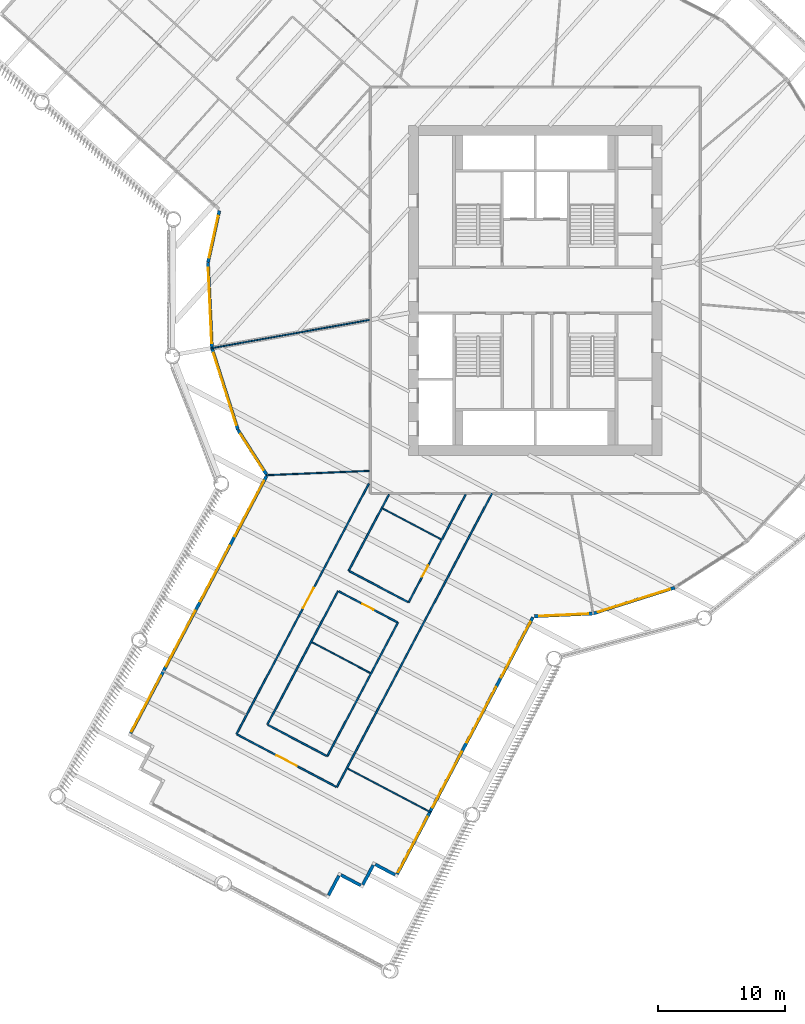
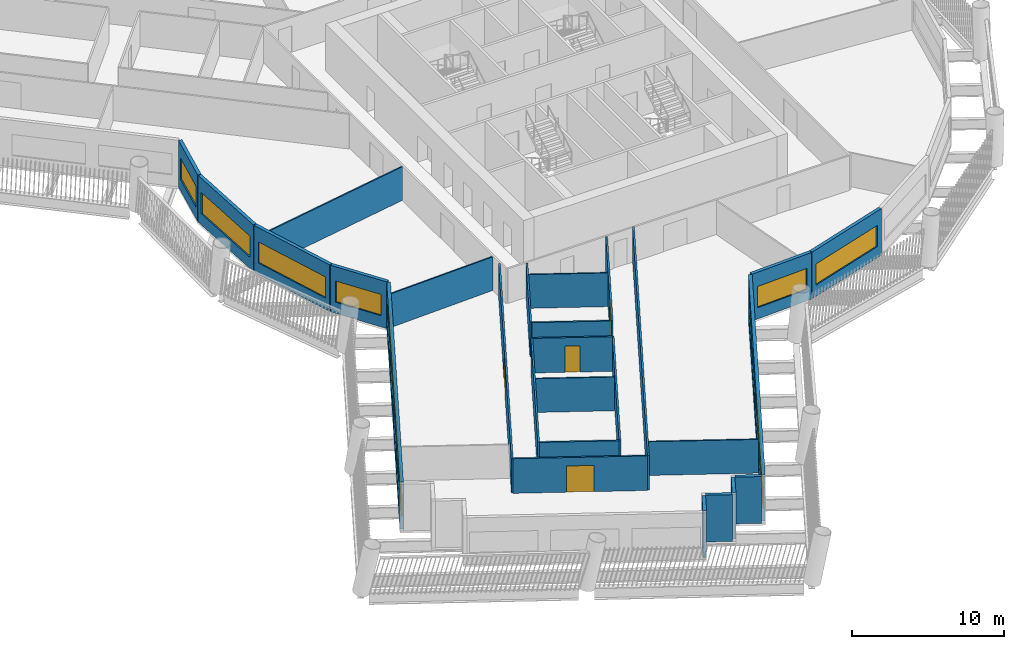
# One storey, part 3 of 16: 27 walls, 14 windows, 4 doors, 18 openings.
"""IFC4 building model written with IfcOpenShell, lengths in metres."""

from ifc_helpers import new_model, si_unit, direction, frame, frame_2d, origin, place, context, subcontext, project, spatial, rectangle, extrude, material, layer, layer_set, type_object, element, fill, save


model = new_model("IFC4")

# Units and contexts
model_context = context("Model", 3, precision=1e-05, world=origin(), true_north=direction((0.0, 1.0)))
body_context = subcontext(model_context, "Body", "Model", "MODEL_VIEW")
ifc_project = project(units=[si_unit("LENGTHUNIT", "METRE"), si_unit("AREAUNIT", "SQUARE_METRE"), si_unit("VOLUMEUNIT", "CUBIC_METRE"), si_unit("PLANEANGLEUNIT", "RADIAN"), si_unit("MASSUNIT", "GRAM", prefix="KILO")], contexts=[model_context])

# Site, building, storey
site_placement = place(None, origin())
site = spatial("IfcSite", under=ifc_project, at=site_placement, CompositionType="ELEMENT")
building_placement = place(site_placement, origin())
building = spatial("IfcBuilding", under=site, at=building_placement, Name="Tarsis Ring Headquarters", CompositionType="ELEMENT")
storey_placement = place(building_placement, frame((0.0, 0.0, 96.699951171875)))
storey = spatial("IfcBuildingStorey", under=building, at=storey_placement, Name="L21", CompositionType="ELEMENT", Elevation=96.699951171875)

# Walls
ifc_material_1 = material(Name="Gypsum board on steel studs", Category="steel")
ifc_layer_1 = layer(ifc_material_1, 0.10009765625)
ifc_layer_set_1 = layer_set([ifc_layer_1], Name="FL partition 100 unrated")
wall_type_1 = type_object("IfcWallType", Name="FL partition 100 unrated", PredefinedType="PARTITIONING", material=ifc_layer_set_1)
wall_1_placement = place(storey_placement, frame((-25.54248046875, -4.568115234375, 0.0), z_axis=(0.0, 0.0, 1.0), x_axis=(0.984382770142, 0.176041364025, 0.0)))
element("IfcWall", 1, at=wall_1_placement, inside=storey, type_object=wall_type_1, Name="Partition PW3", PredefinedType="PARTITIONING", context=body_context, shape_type="SweptSolid", body=[
    extrude(rectangle(XDim=12.671630859375, YDim=0.10009765625, at=frame_2d((6.3359375, 0.0))), origin(), (0.0, 0.0, 1.0), 2.699951171875),
])
wall_2_placement = place(storey_placement, frame((-21.187744140625, -14.566162109375, 0.0), z_axis=(0.0, 0.0, 1.0), x_axis=(0.99912984125, 0.041708036681, 0.0)))
element("IfcWall", 2, at=wall_2_placement, inside=storey, type_object=wall_type_1, Name="Partition PW3", PredefinedType="PARTITIONING", context=body_context, shape_type="SweptSolid", body=[
    extrude(rectangle(XDim=8.124755859375, YDim=0.10009765625, at=frame_2d((4.0625, 0.0))), origin(), (0.0, 0.0, 1.0), 2.699951171875),
])
wall_3_placement = place(storey_placement, frame((-14.77685546875, -37.6708984375, 0.0), z_axis=(0.0, 0.0, 1.0), x_axis=(0.88409066229, -0.467315419018, 0.0)))
element("IfcWall", 3, at=wall_3_placement, inside=storey, type_object=wall_type_1, Name="Partition PW3", PredefinedType="PARTITIONING", context=body_context, shape_type="SweptSolid", body=[
    extrude(rectangle(XDim=7.41015625, YDim=0.10009765625, at=frame_2d((3.705078125, 0.0))), origin(), (0.0, 0.0, 1.0), 2.699951171875),
])
wall_4_placement = place(storey_placement, frame((-17.59375, -27.72119140625, 0.0), z_axis=(0.0, 0.0, 1.0), x_axis=(0.884075542266, -0.467344022715, 0.0)))
element("IfcWall", 4, at=wall_4_placement, inside=storey, type_object=wall_type_1, Name="Partition PW3", PredefinedType="PARTITIONING", context=body_context, shape_type="SweptSolid", body=[
    extrude(rectangle(XDim=5.199951171875, YDim=0.10009765625, at=frame_2d((2.60009765625, 0.0))), origin(), (0.0, 0.0, 1.0), 2.699951171875),
])
wall_5_placement = place(storey_placement, frame((-12.0234375, -17.182861328125, 0.0), z_axis=(0.0, 0.0, 1.0), x_axis=(0.884085796079, -0.467324625042, 0.0)))
element("IfcWall", 5, at=wall_5_placement, inside=storey, type_object=wall_type_1, Name="Partition PW3", PredefinedType="PARTITIONING", context=body_context, shape_type="SweptSolid", body=[
    extrude(rectangle(XDim=5.2001953125, YDim=0.10009765625, at=frame_2d((2.60009765625, 0.0))), origin(), (0.0, 0.0, 1.0), 2.699951171875),
])
ifc_layer_2 = layer(ifc_material_1, 0.125)
ifc_layer_set_2 = layer_set([ifc_layer_2], Name="FL partition 125 EI 60 H2770")
wall_type_2 = type_object("IfcWallType", Name="FL partition 125 EI 60 H2770", PredefinedType="PARTITIONING", material=ifc_layer_set_2)
wall_6_placement = place(storey_placement, frame((-15.63330078125, -39.14111328125, 0.0), z_axis=(0.0, 0.0, 1.0), x_axis=(0.467320656478, 0.884087893837, 0.0)))
element("IfcWall", 6, at=wall_6_placement, inside=storey, type_object=wall_type_2, Name="Partition PW1", PredefinedType="PARTITIONING", context=body_context, shape_type="SweptSolid", body=[
    extrude(rectangle(XDim=26.175048828125, YDim=0.125, at=frame_2d((13.08740234375, 0.0))), origin(), (0.0, 0.0, 1.0), 2.77001953125),
])

# Wall, opening, door
wall_7_placement = place(storey_placement, frame((-23.537109375, -34.96337890625, 0.0), z_axis=(0.0, 0.0, 1.0), x_axis=(0.467319173783, 0.884088677574, 0.0)))
wall_7 = element("IfcWall", 7, at=wall_7_placement, inside=storey, type_object=wall_type_2, Name="Partition PW1", PredefinedType="PARTITIONING", context=body_context, shape_type="SweptSolid", body=[
    extrude(rectangle(XDim=22.318115234375, YDim=0.125, at=frame_2d((11.1591796875, 0.0))), origin(), (0.0, 0.0, 1.0), 2.77001953125),
])
opening_1_placement = place(wall_7_placement, frame((11.2255859375, 0.0, 0.0)))
opening_1 = element("IfcOpeningElement", 8, at=opening_1_placement, cuts=wall_7, Name="Opening D21.10", PredefinedType="OPENING", context=body_context, shape_type="SweptSolid", body=[
    extrude(rectangle(XDim=1.800048828125, YDim=2.10009765625, at=frame_2d((0.89990234375, 1.050048828125))), frame((0.0, 0.072509765625, 0.0), z_axis=(0.0, -1.0, 0.0), x_axis=(1.0, 0.0, 0.0)), (0.0, 0.0, 1.0), 0.14501953125),
])
ifc_material_2 = material(Name="Fire-rated timber door leaf in steel frame", Category="steel")
door_type_1 = type_object("IfcDoorType", Name="FL door FD60-1800", OperationType="DOUBLE_DOOR_SINGLE_SWING", PredefinedType="DOOR", material=ifc_material_2)
door_1_placement = place(opening_1_placement, origin())
door_1 = element("IfcDoor", 9, at=door_1_placement, inside=storey, type_object=door_type_1, Name="Door D21.10", OperationType="DOUBLE_DOOR_SINGLE_SWING", OverallHeight=2.10009765625, OverallWidth=1.800048828125, PredefinedType="DOOR", context=body_context, shape_type="SweptSolid", body=[
    extrude(rectangle(XDim=1.800048828125, YDim=2.10009765625, at=frame_2d((0.89990234375, 1.050048828125))), frame((0.0, 0.02490234375, 0.0), z_axis=(0.0, -1.0, 0.0), x_axis=(1.0, 0.0, 0.0)), (0.0, 0.0, 1.0), 0.050048828125),
])
fill(opening_1, door_1)

# Walls
for number, where, z_axis, x_axis, name in (
    (10, (-16.38330078125, -36.708740234375, 0.0), (0.0, 0.0, 1.0), (0.467311216723, 0.884092883539, 0.0), "Partition PW1"),
    (11, (-21.1044921875, -34.213134765625, 0.0), (0.0, 0.0, 1.0), (0.467311216723, 0.884092883539, 0.0), "Partition PW1"),
):
    element("IfcWall", number, at=place(storey_placement, frame(where, z_axis=z_axis, x_axis=x_axis)), inside=storey, type_object=wall_type_2, Name=name, PredefinedType="PARTITIONING", context=body_context, shape_type="SweptSolid", body=[
        extrude(rectangle(XDim=11.909912109375, YDim=0.125, at=frame_2d((5.955078125, 0.0))), origin(), (0.0, 0.0, 1.0), 2.77001953125),
    ])

# Wall, opening, door
wall_8_placement = place(storey_placement, frame((-9.9765625, -24.587890625, 0.0), z_axis=(0.0, 0.0, 1.0), x_axis=(0.467312990895, 0.884091945751, 0.0)))
wall_8 = element("IfcWall", 12, at=wall_8_placement, inside=storey, type_object=wall_type_2, Name="Partition PW1", PredefinedType="PARTITIONING", context=body_context, shape_type="SweptSolid", body=[
    extrude(rectangle(XDim=9.623779296875, YDim=0.125, at=frame_2d((4.81201171875, 0.0))), origin(), (0.0, 0.0, 1.0), 2.77001953125),
])
opening_2_placement = place(wall_8_placement, frame((2.29296875, 0.0, 0.0)))
opening_2 = element("IfcOpeningElement", 13, at=opening_2_placement, cuts=wall_8, Name="Opening D21.16", PredefinedType="OPENING", context=body_context, shape_type="SweptSolid", body=[
    extrude(rectangle(XDim=1.0, YDim=2.10009765625, at=frame_2d((0.5, 1.050048828125))), frame((0.0, 0.072509765625, 0.0), z_axis=(0.0, -1.0, 0.0), x_axis=(1.0, 0.0, 0.0)), (0.0, 0.0, 1.0), 0.14501953125),
])
door_type_2 = type_object("IfcDoorType", Name="FL door FD60-1000", OperationType="NOTDEFINED", PredefinedType="DOOR", material=ifc_material_2)
door_2_placement = place(opening_2_placement, origin())
door_2 = element("IfcDoor", 14, at=door_2_placement, inside=storey, type_object=door_type_2, Name="Door D21.16", OperationType="SINGLE_SWING_LEFT", OverallHeight=2.10009765625, OverallWidth=1.0, PredefinedType="DOOR", context=body_context, shape_type="SweptSolid", body=[
    extrude(rectangle(XDim=1.0, YDim=2.10009765625, at=frame_2d((0.5, 1.050048828125))), frame((0.0, 0.02490234375, 0.0), z_axis=(0.0, -1.0, 0.0), x_axis=(1.0, 0.0, 0.0)), (0.0, 0.0, 1.0), 0.050048828125),
])
fill(opening_2, door_2)

wall_9_placement = place(storey_placement, frame((-23.48388671875, -34.991455078125, 0.0), z_axis=(0.0, 0.0, 1.0), x_axis=(0.884095430415, -0.46730639833, 0.0)))
wall_9 = element("IfcWall", 15, at=wall_9_placement, inside=storey, type_object=wall_type_2, Name="Partition PW1", PredefinedType="PARTITIONING", context=body_context, shape_type="SweptSolid", body=[
    extrude(rectangle(XDim=8.81982421875, YDim=0.125, at=frame_2d((4.409912109375, 0.0))), origin(), (0.0, 0.0, 1.0), 2.77001953125),
])
opening_3_placement = place(wall_9_placement, frame((3.510009765625, 0.0, 0.0)))
opening_3 = element("IfcOpeningElement", 16, at=opening_3_placement, cuts=wall_9, Name="Opening D21.09", PredefinedType="OPENING", context=body_context, shape_type="SweptSolid", body=[
    extrude(rectangle(XDim=1.800048828125, YDim=2.10009765625, at=frame_2d((0.89990234375, 1.050048828125))), frame((0.0, 0.072509765625, 0.0), z_axis=(0.0, -1.0, 0.0), x_axis=(1.0, 0.0, 0.0)), (0.0, 0.0, 1.0), 0.14501953125),
])
door_3_placement = place(opening_3_placement, origin())
door_3 = element("IfcDoor", 17, at=door_3_placement, inside=storey, type_object=door_type_1, Name="Door D21.09", OperationType="DOUBLE_DOOR_SINGLE_SWING", OverallHeight=2.10009765625, OverallWidth=1.800048828125, PredefinedType="DOOR", context=body_context, shape_type="SweptSolid", body=[
    extrude(rectangle(XDim=1.800048828125, YDim=2.10009765625, at=frame_2d((0.89990234375, 1.050048828125))), frame((0.0, 0.02490234375, 0.0), z_axis=(0.0, -1.0, 0.0), x_axis=(1.0, 0.0, 0.0)), (0.0, 0.0, 1.0), 0.050048828125),
])
fill(opening_3, door_3)

# Wall
wall_10_placement = place(storey_placement, frame((-14.697509765625, -22.09228515625, 0.0), z_axis=(0.0, 0.0, 1.0), x_axis=(0.467316945628, 0.884089855348, 0.0)))
element("IfcWall", 18, at=wall_10_placement, inside=storey, type_object=wall_type_2, Name="Partition PW1", PredefinedType="PARTITIONING", context=body_context, shape_type="SweptSolid", body=[
    extrude(rectangle(XDim=6.801025390625, YDim=0.125, at=frame_2d((3.400390625, 0.0))), origin(), (0.0, 0.0, 1.0), 2.77001953125),
])

# Wall, opening, door
wall_11_placement = place(storey_placement, frame((-15.485595703125, -23.711669921875, 0.0), z_axis=(0.0, 0.0, 1.0), x_axis=(0.884086935085, -0.467322470262, 0.0)))
wall_11 = element("IfcWall", 19, at=wall_11_placement, inside=storey, type_object=wall_type_2, Name="Partition PW1", PredefinedType="PARTITIONING", context=body_context, shape_type="SweptSolid", body=[
    extrude(rectangle(XDim=5.219970703125, YDim=0.125, at=frame_2d((2.60986328125, 0.0))), origin(), (0.0, 0.0, 1.0), 2.77001953125),
])
opening_4_placement = place(wall_11_placement, frame((2.110107421875, 0.0, 0.0)))
opening_4 = element("IfcOpeningElement", 20, at=opening_4_placement, cuts=wall_11, Name="Opening D21.17", PredefinedType="OPENING", context=body_context, shape_type="SweptSolid", body=[
    extrude(rectangle(XDim=1.0, YDim=2.10009765625, at=frame_2d((0.5, 1.050048828125))), frame((0.0, 0.072509765625, 0.0), z_axis=(0.0, -1.0, 0.0), x_axis=(1.0, 0.0, 0.0)), (0.0, 0.0, 1.0), 0.14501953125),
])
door_4_placement = place(opening_4_placement, origin())
door_4 = element("IfcDoor", 21, at=door_4_placement, inside=storey, type_object=door_type_2, Name="Door D21.17", OperationType="SINGLE_SWING_RIGHT", OverallHeight=2.10009765625, OverallWidth=1.0, PredefinedType="DOOR", context=body_context, shape_type="SweptSolid", body=[
    extrude(rectangle(XDim=1.0, YDim=2.10009765625, at=frame_2d((0.5, 1.050048828125))), frame((0.0, 0.02490234375, 0.0), z_axis=(0.0, -1.0, 0.0), x_axis=(1.0, 0.0, 0.0)), (0.0, 0.0, 1.0), 0.050048828125),
])
fill(opening_4, door_4)

# Walls
wall_12_placement = place(storey_placement, frame((-14.64453125, -22.120361328125, 0.0), z_axis=(0.0, 0.0, 1.0), x_axis=(0.884086935085, -0.467322470262, 0.0)))
element("IfcWall", 22, at=wall_12_placement, inside=storey, type_object=wall_type_2, Name="Partition PW1", PredefinedType="PARTITIONING", context=body_context, shape_type="SweptSolid", body=[
    extrude(rectangle(XDim=5.219970703125, YDim=0.125, at=frame_2d((2.60986328125, 0.0))), origin(), (0.0, 0.0, 1.0), 2.77001953125),
])
wall_13_placement = place(storey_placement, frame((-21.051513671875, -34.2412109375, 0.0), z_axis=(0.0, 0.0, 1.0), x_axis=(0.884097148492, -0.467303147891, 0.0)))
element("IfcWall", 23, at=wall_13_placement, inside=storey, type_object=wall_type_2, Name="Partition PW1", PredefinedType="PARTITIONING", context=body_context, shape_type="SweptSolid", body=[
    extrude(rectangle(XDim=5.22021484375, YDim=0.125, at=frame_2d((2.610107421875, 0.0))), origin(), (0.0, 0.0, 1.0), 2.77001953125),
])

# Wall, opening, window
ifc_material_3 = material(Name="Terracotta clad insulated panel wall", Category="masonry")
ifc_layer_3 = layer(ifc_material_3, 0.25)
ifc_layer_set_3 = layer_set([ifc_layer_3], Name="Facade wall terracotta panel 250")
wall_type_3 = type_object("IfcWallType", Name="Facade wall terracotta panel 250", PredefinedType="STANDARD", material=ifc_layer_set_3)
wall_14_placement = place(storey_placement, frame((-24.887451171875, 6.269287109375, 0.0), z_axis=(0.0, 0.0, 1.0), x_axis=(-0.214050634476, -0.976822566222, 0.0)))
wall_14 = element("IfcWall", 24, at=wall_14_placement, inside=storey, type_object=wall_type_3, Name="External wall L21-02", PredefinedType="STANDARD", context=body_context, shape_type="SweptSolid", body=[
    extrude(rectangle(XDim=4.157470703125, YDim=0.25, at=frame_2d((2.07861328125, 0.0))), origin(), (0.0, 0.0, 1.0), 3.739990234375),
])
opening_5_placement = place(wall_14_placement, frame((0.420166015625, 0.0, 0.89990234375)))
opening_5 = element("IfcOpeningElement", 25, at=opening_5_placement, cuts=wall_14, Name="Opening WN01", PredefinedType="OPENING", context=body_context, shape_type="SweptSolid", body=[
    extrude(rectangle(XDim=3.35009765625, YDim=1.699951171875, at=frame_2d((1.675048828125, 0.85009765625))), frame((0.0, 0.135009765625, 0.0), z_axis=(0.0, -1.0, 0.0), x_axis=(1.0, 0.0, 0.0)), (0.0, 0.0, 1.0), 0.27001953125),
])
ifc_material_4 = material(Name="Aluminium framed double glazing", Category="aluminium")
window_type_1 = type_object("IfcWindowType", Name="Facade window 3350 x 1700", PartitioningType="SINGLE_PANEL", PredefinedType="WINDOW", material=ifc_material_4)
window_1_placement = place(opening_5_placement, origin())
window_1 = element("IfcWindow", 26, at=window_1_placement, inside=storey, type_object=window_type_1, Name="Window L21-02.1", OverallHeight=1.699951171875, OverallWidth=3.35009765625, PartitioningType="SINGLE_PANEL", PredefinedType="WINDOW", context=body_context, shape_type="SweptSolid", body=[
    extrude(rectangle(XDim=3.35009765625, YDim=1.699951171875, at=frame_2d((1.675048828125, 0.85009765625))), frame((0.0, 0.030029296875, 0.0), z_axis=(0.0, -1.0, 0.0), x_axis=(1.0, 0.0, 0.0)), (0.0, 0.0, 1.0), 0.06005859375),
])
fill(opening_5, window_1)

wall_15_placement = place(storey_placement, frame((-25.780029296875, 2.175537109375, 0.0), z_axis=(0.0, 0.0, 1.0), x_axis=(0.046056811371, -0.998938822014, 0.0)))
wall_15 = element("IfcWall", 27, at=wall_15_placement, inside=storey, type_object=wall_type_3, Name="External wall L21-03", PredefinedType="STANDARD", context=body_context, shape_type="SweptSolid", body=[
    extrude(rectangle(XDim=6.721435546875, YDim=0.25, at=frame_2d((3.36083984375, 0.0))), origin(), (0.0, 0.0, 1.0), 3.739990234375),
])
opening_6_placement = place(wall_15_placement, frame((0.3857421875, 0.0, 0.89990234375)))
opening_6 = element("IfcOpeningElement", 28, at=opening_6_placement, cuts=wall_15, Name="Opening WN07", PredefinedType="OPENING", context=body_context, shape_type="SweptSolid", body=[
    extrude(rectangle(XDim=5.949951171875, YDim=1.699951171875, at=frame_2d((2.97509765625, 0.85009765625))), frame((0.0, 0.135009765625, 0.0), z_axis=(0.0, -1.0, 0.0), x_axis=(1.0, 0.0, 0.0)), (0.0, 0.0, 1.0), 0.27001953125),
])
window_type_2 = type_object("IfcWindowType", Name="Facade window 5950 x 1700", PartitioningType="SINGLE_PANEL", PredefinedType="WINDOW", material=ifc_material_4)
window_2_placement = place(opening_6_placement, origin())
window_2 = element("IfcWindow", 29, at=window_2_placement, inside=storey, type_object=window_type_2, Name="Window L21-03.1", OverallHeight=1.699951171875, OverallWidth=5.949951171875, PartitioningType="SINGLE_PANEL", PredefinedType="WINDOW", context=body_context, shape_type="SweptSolid", body=[
    extrude(rectangle(XDim=5.949951171875, YDim=1.699951171875, at=frame_2d((2.97509765625, 0.85009765625))), frame((0.0, 0.030029296875, 0.0), z_axis=(0.0, -1.0, 0.0), x_axis=(1.0, 0.0, 0.0)), (0.0, 0.0, 1.0), 0.06005859375),
])
fill(opening_6, window_2)

wall_16_placement = place(storey_placement, frame((-25.46484375, -4.57080078125, 0.0), z_axis=(0.0, 0.0, 1.0), x_axis=(0.303034240795, -0.952979668674, 0.0)))
wall_16 = element("IfcWall", 30, at=wall_16_placement, inside=storey, type_object=wall_type_3, Name="External wall L21-04", PredefinedType="STANDARD", context=body_context, shape_type="SweptSolid", body=[
    extrude(rectangle(XDim=6.7216796875, YDim=0.25, at=frame_2d((3.36083984375, 0.0))), origin(), (0.0, 0.0, 1.0), 3.739990234375),
])
opening_7_placement = place(wall_16_placement, frame((0.3857421875, 0.0, 0.89990234375)))
opening_7 = element("IfcOpeningElement", 31, at=opening_7_placement, cuts=wall_16, Name="Opening WN07", PredefinedType="OPENING", context=body_context, shape_type="SweptSolid", body=[
    extrude(rectangle(XDim=5.949951171875, YDim=1.699951171875, at=frame_2d((2.97509765625, 0.85009765625))), frame((0.0, 0.135009765625, 0.0), z_axis=(0.0, -1.0, 0.0), x_axis=(1.0, 0.0, 0.0)), (0.0, 0.0, 1.0), 0.27001953125),
])
window_3_placement = place(opening_7_placement, origin())
window_3 = element("IfcWindow", 32, at=window_3_placement, inside=storey, type_object=window_type_2, Name="Window L21-04.1", OverallHeight=1.699951171875, OverallWidth=5.949951171875, PartitioningType="SINGLE_PANEL", PredefinedType="WINDOW", context=body_context, shape_type="SweptSolid", body=[
    extrude(rectangle(XDim=5.949951171875, YDim=1.699951171875, at=frame_2d((2.97509765625, 0.85009765625))), frame((0.0, 0.030029296875, 0.0), z_axis=(0.0, -1.0, 0.0), x_axis=(1.0, 0.0, 0.0)), (0.0, 0.0, 1.0), 0.06005859375),
])
fill(opening_7, window_3)

wall_17_placement = place(storey_placement, frame((-23.4140625, -11.005859375, 0.0), z_axis=(0.0, 0.0, 1.0), x_axis=(0.539361934363, -0.842074048858, 0.0)))
wall_17 = element("IfcWall", 33, at=wall_17_placement, inside=storey, type_object=wall_type_3, Name="External wall L21-05", PredefinedType="STANDARD", context=body_context, shape_type="SweptSolid", body=[
    extrude(rectangle(XDim=4.157470703125, YDim=0.25, at=frame_2d((2.07861328125, 0.0))), origin(), (0.0, 0.0, 1.0), 3.739990234375),
])
opening_8_placement = place(wall_17_placement, frame((0.38720703125, 0.0, 0.89990234375)))
opening_8 = element("IfcOpeningElement", 34, at=opening_8_placement, cuts=wall_17, Name="Opening WN01", PredefinedType="OPENING", context=body_context, shape_type="SweptSolid", body=[
    extrude(rectangle(XDim=3.35009765625, YDim=1.699951171875, at=frame_2d((1.675048828125, 0.85009765625))), frame((0.0, 0.135009765625, 0.0), z_axis=(0.0, -1.0, 0.0), x_axis=(1.0, 0.0, 0.0)), (0.0, 0.0, 1.0), 0.27001953125),
])
window_4_placement = place(opening_8_placement, origin())
window_4 = element("IfcWindow", 35, at=window_4_placement, inside=storey, type_object=window_type_1, Name="Window L21-05.1", OverallHeight=1.699951171875, OverallWidth=3.35009765625, PartitioningType="SINGLE_PANEL", PredefinedType="WINDOW", context=body_context, shape_type="SweptSolid", body=[
    extrude(rectangle(XDim=3.35009765625, YDim=1.699951171875, at=frame_2d((1.675048828125, 0.85009765625))), frame((0.0, 0.030029296875, 0.0), z_axis=(0.0, -1.0, 0.0), x_axis=(1.0, 0.0, 0.0)), (0.0, 0.0, 1.0), 0.06005859375),
])
fill(opening_8, window_4)

# Wall, openings, windows
wall_18_placement = place(storey_placement, frame((-21.16650390625, -14.6328125, 0.0), z_axis=(0.0, 0.0, 1.0), x_axis=(-0.467310655597, -0.884093180137, 0.0)))
wall_18 = element("IfcWall", 36, at=wall_18_placement, inside=storey, type_object=wall_type_3, Name="External wall L21-06", PredefinedType="STANDARD", context=body_context, shape_type="SweptSolid", body=[
    extrude(rectangle(XDim=22.921875, YDim=0.25, at=frame_2d((11.4609375, 0.0))), origin(), (0.0, 0.0, 1.0), 3.739990234375),
])
opening_9_placement = place(wall_18_placement, frame((0.42138671875, 0.0, 0.89990234375)))
opening_9 = element("IfcOpeningElement", 37, at=opening_9_placement, cuts=wall_18, Name="Opening WN05", PredefinedType="OPENING", context=body_context, shape_type="SweptSolid", body=[
    extrude(rectangle(XDim=4.949951171875, YDim=1.699951171875, at=frame_2d((2.47509765625, 0.85009765625))), frame((0.0, 0.135009765625, 0.0), z_axis=(0.0, -1.0, 0.0), x_axis=(1.0, 0.0, 0.0)), (0.0, 0.0, 1.0), 0.27001953125),
])
opening_10_placement = place(wall_18_placement, frame((6.214599609375, 0.0, 0.89990234375)))
opening_10 = element("IfcOpeningElement", 38, at=opening_10_placement, cuts=wall_18, Name="Opening WN05", PredefinedType="OPENING", context=body_context, shape_type="SweptSolid", body=[
    extrude(rectangle(XDim=4.949951171875, YDim=1.699951171875, at=frame_2d((2.47509765625, 0.85009765625))), frame((0.0, 0.135009765625, 0.0), z_axis=(0.0, -1.0, 0.0), x_axis=(1.0, 0.0, 0.0)), (0.0, 0.0, 1.0), 0.27001953125),
])
opening_11_placement = place(wall_18_placement, frame((12.007568359375, 0.0, 0.89990234375)))
opening_11 = element("IfcOpeningElement", 39, at=opening_11_placement, cuts=wall_18, Name="Opening WN05", PredefinedType="OPENING", context=body_context, shape_type="SweptSolid", body=[
    extrude(rectangle(XDim=4.949951171875, YDim=1.699951171875, at=frame_2d((2.47509765625, 0.85009765625))), frame((0.0, 0.135009765625, 0.0), z_axis=(0.0, -1.0, 0.0), x_axis=(1.0, 0.0, 0.0)), (0.0, 0.0, 1.0), 0.27001953125),
])
opening_12_placement = place(wall_18_placement, frame((17.800537109375, 0.0, 0.89990234375)))
opening_12 = element("IfcOpeningElement", 40, at=opening_12_placement, cuts=wall_18, Name="Opening WN05", PredefinedType="OPENING", context=body_context, shape_type="SweptSolid", body=[
    extrude(rectangle(XDim=4.949951171875, YDim=1.699951171875, at=frame_2d((2.47509765625, 0.85009765625))), frame((0.0, 0.135009765625, 0.0), z_axis=(0.0, -1.0, 0.0), x_axis=(1.0, 0.0, 0.0)), (0.0, 0.0, 1.0), 0.27001953125),
])
window_type_3 = type_object("IfcWindowType", Name="Facade window 4950 x 1700", PartitioningType="SINGLE_PANEL", PredefinedType="WINDOW", material=ifc_material_4)
window_5_placement = place(opening_9_placement, origin())
window_5 = element("IfcWindow", 41, at=window_5_placement, inside=storey, type_object=window_type_3, Name="Window L21-06.1", OverallHeight=1.699951171875, OverallWidth=4.949951171875, PartitioningType="SINGLE_PANEL", PredefinedType="WINDOW", context=body_context, shape_type="SweptSolid", body=[
    extrude(rectangle(XDim=4.949951171875, YDim=1.699951171875, at=frame_2d((2.47509765625, 0.85009765625))), frame((0.0, 0.030029296875, 0.0), z_axis=(0.0, -1.0, 0.0), x_axis=(1.0, 0.0, 0.0)), (0.0, 0.0, 1.0), 0.06005859375),
])
fill(opening_9, window_5)
window_6_placement = place(opening_10_placement, origin())
window_6 = element("IfcWindow", 42, at=window_6_placement, inside=storey, type_object=window_type_3, Name="Window L21-06.2", OverallHeight=1.699951171875, OverallWidth=4.949951171875, PartitioningType="SINGLE_PANEL", PredefinedType="WINDOW", context=body_context, shape_type="SweptSolid", body=[
    extrude(rectangle(XDim=4.949951171875, YDim=1.699951171875, at=frame_2d((2.47509765625, 0.85009765625))), frame((0.0, 0.030029296875, 0.0), z_axis=(0.0, -1.0, 0.0), x_axis=(1.0, 0.0, 0.0)), (0.0, 0.0, 1.0), 0.06005859375),
])
fill(opening_10, window_6)
window_7_placement = place(opening_11_placement, origin())
window_7 = element("IfcWindow", 43, at=window_7_placement, inside=storey, type_object=window_type_3, Name="Window L21-06.3", OverallHeight=1.699951171875, OverallWidth=4.949951171875, PartitioningType="SINGLE_PANEL", PredefinedType="WINDOW", context=body_context, shape_type="SweptSolid", body=[
    extrude(rectangle(XDim=4.949951171875, YDim=1.699951171875, at=frame_2d((2.47509765625, 0.85009765625))), frame((0.0, 0.030029296875, 0.0), z_axis=(0.0, -1.0, 0.0), x_axis=(1.0, 0.0, 0.0)), (0.0, 0.0, 1.0), 0.06005859375),
])
fill(opening_11, window_7)
window_8_placement = place(opening_12_placement, origin())
window_8 = element("IfcWindow", 44, at=window_8_placement, inside=storey, type_object=window_type_3, Name="Window L21-06.4", OverallHeight=1.699951171875, OverallWidth=4.949951171875, PartitioningType="SINGLE_PANEL", PredefinedType="WINDOW", context=body_context, shape_type="SweptSolid", body=[
    extrude(rectangle(XDim=4.949951171875, YDim=1.699951171875, at=frame_2d((2.47509765625, 0.85009765625))), frame((0.0, 0.030029296875, 0.0), z_axis=(0.0, -1.0, 0.0), x_axis=(1.0, 0.0, 0.0)), (0.0, 0.0, 1.0), 0.06005859375),
])
fill(opening_12, window_8)

# Walls
for number, where, z_axis, x_axis, name in (
    (45, (-16.28662109375, -47.66357421875, 0.0), (0.0, 0.0, 1.0), (0.467355615656, 0.884069413855, 0.0), "External wall L21-12"),
    (46, (-15.2998046875, -46.064453125, 0.0), (0.0, 0.0, 1.0), (0.884069413855, -0.467355615656, 0.0), "External wall L21-13"),
    (47, (-13.583740234375, -46.830078125, 0.0), (0.0, 0.0, 1.0), (0.467355615656, 0.884069413855, 0.0), "External wall L21-14"),
    (48, (-12.59716796875, -45.23095703125, 0.0), (0.0, 0.0, 1.0), (0.884157506446, -0.467188938007, 0.0), "External wall L21-15"),
):
    element("IfcWall", number, at=place(storey_placement, frame(where, z_axis=z_axis, x_axis=x_axis)), inside=storey, type_object=wall_type_3, Name=name, PredefinedType="STANDARD", context=body_context, shape_type="SweptSolid", body=[
        extrude(rectangle(XDim=1.75, YDim=0.25, at=frame_2d((0.875, 0.0))), origin(), (0.0, 0.0, 1.0), 3.739990234375),
    ])

# Wall, openings, windows
wall_19_placement = place(storey_placement, frame((-10.880859375, -45.99658203125, 0.0), z_axis=(0.0, 0.0, 1.0), x_axis=(0.467307682695, 0.884094751536, 0.0)))
wall_19 = element("IfcWall", 49, at=wall_19_placement, inside=storey, type_object=wall_type_3, Name="External wall L21-16", PredefinedType="STANDARD", context=body_context, shape_type="SweptSolid", body=[
    extrude(rectangle(XDim=22.901123046875, YDim=0.25, at=frame_2d((11.45068359375, 0.0))), origin(), (0.0, 0.0, 1.0), 3.739990234375),
])
opening_13_placement = place(wall_19_placement, frame((0.1689453125, 0.0, 0.89990234375)))
opening_13 = element("IfcOpeningElement", 50, at=opening_13_placement, cuts=wall_19, Name="Opening WN05", PredefinedType="OPENING", context=body_context, shape_type="SweptSolid", body=[
    extrude(rectangle(XDim=4.949951171875, YDim=1.699951171875, at=frame_2d((2.47509765625, 0.85009765625))), frame((0.0, 0.135009765625, 0.0), z_axis=(0.0, -1.0, 0.0), x_axis=(1.0, 0.0, 0.0)), (0.0, 0.0, 1.0), 0.27001953125),
])
opening_14_placement = place(wall_19_placement, frame((5.956787109375, 0.0, 0.89990234375)))
opening_14 = element("IfcOpeningElement", 51, at=opening_14_placement, cuts=wall_19, Name="Opening WN05", PredefinedType="OPENING", context=body_context, shape_type="SweptSolid", body=[
    extrude(rectangle(XDim=4.949951171875, YDim=1.699951171875, at=frame_2d((2.47509765625, 0.85009765625))), frame((0.0, 0.135009765625, 0.0), z_axis=(0.0, -1.0, 0.0), x_axis=(1.0, 0.0, 0.0)), (0.0, 0.0, 1.0), 0.27001953125),
])
opening_15_placement = place(wall_19_placement, frame((11.74462890625, 0.0, 0.89990234375)))
opening_15 = element("IfcOpeningElement", 52, at=opening_15_placement, cuts=wall_19, Name="Opening WN05", PredefinedType="OPENING", context=body_context, shape_type="SweptSolid", body=[
    extrude(rectangle(XDim=4.949951171875, YDim=1.699951171875, at=frame_2d((2.47509765625, 0.85009765625))), frame((0.0, 0.135009765625, 0.0), z_axis=(0.0, -1.0, 0.0), x_axis=(1.0, 0.0, 0.0)), (0.0, 0.0, 1.0), 0.27001953125),
])
opening_16_placement = place(wall_19_placement, frame((17.532470703125, 0.0, 0.89990234375)))
opening_16 = element("IfcOpeningElement", 53, at=opening_16_placement, cuts=wall_19, Name="Opening WN05", PredefinedType="OPENING", context=body_context, shape_type="SweptSolid", body=[
    extrude(rectangle(XDim=4.949951171875, YDim=1.699951171875, at=frame_2d((2.47509765625, 0.85009765625))), frame((0.0, 0.135009765625, 0.0), z_axis=(0.0, -1.0, 0.0), x_axis=(1.0, 0.0, 0.0)), (0.0, 0.0, 1.0), 0.27001953125),
])
window_9_placement = place(opening_13_placement, origin())
window_9 = element("IfcWindow", 54, at=window_9_placement, inside=storey, type_object=window_type_3, Name="Window L21-16.1", OverallHeight=1.699951171875, OverallWidth=4.949951171875, PartitioningType="SINGLE_PANEL", PredefinedType="WINDOW", context=body_context, shape_type="SweptSolid", body=[
    extrude(rectangle(XDim=4.949951171875, YDim=1.699951171875, at=frame_2d((2.47509765625, 0.85009765625))), frame((0.0, 0.030029296875, 0.0), z_axis=(0.0, -1.0, 0.0), x_axis=(1.0, 0.0, 0.0)), (0.0, 0.0, 1.0), 0.06005859375),
])
fill(opening_13, window_9)
window_10_placement = place(opening_14_placement, origin())
window_10 = element("IfcWindow", 55, at=window_10_placement, inside=storey, type_object=window_type_3, Name="Window L21-16.2", OverallHeight=1.699951171875, OverallWidth=4.949951171875, PartitioningType="SINGLE_PANEL", PredefinedType="WINDOW", context=body_context, shape_type="SweptSolid", body=[
    extrude(rectangle(XDim=4.949951171875, YDim=1.699951171875, at=frame_2d((2.47509765625, 0.85009765625))), frame((0.0, 0.030029296875, 0.0), z_axis=(0.0, -1.0, 0.0), x_axis=(1.0, 0.0, 0.0)), (0.0, 0.0, 1.0), 0.06005859375),
])
fill(opening_14, window_10)
window_11_placement = place(opening_15_placement, origin())
window_11 = element("IfcWindow", 56, at=window_11_placement, inside=storey, type_object=window_type_3, Name="Window L21-16.3", OverallHeight=1.699951171875, OverallWidth=4.949951171875, PartitioningType="SINGLE_PANEL", PredefinedType="WINDOW", context=body_context, shape_type="SweptSolid", body=[
    extrude(rectangle(XDim=4.949951171875, YDim=1.699951171875, at=frame_2d((2.47509765625, 0.85009765625))), frame((0.0, 0.030029296875, 0.0), z_axis=(0.0, -1.0, 0.0), x_axis=(1.0, 0.0, 0.0)), (0.0, 0.0, 1.0), 0.06005859375),
])
fill(opening_15, window_11)
window_12_placement = place(opening_16_placement, origin())
window_12 = element("IfcWindow", 57, at=window_12_placement, inside=storey, type_object=window_type_3, Name="Window L21-16.4", OverallHeight=1.699951171875, OverallWidth=4.949951171875, PartitioningType="SINGLE_PANEL", PredefinedType="WINDOW", context=body_context, shape_type="SweptSolid", body=[
    extrude(rectangle(XDim=4.949951171875, YDim=1.699951171875, at=frame_2d((2.47509765625, 0.85009765625))), frame((0.0, 0.030029296875, 0.0), z_axis=(0.0, -1.0, 0.0), x_axis=(1.0, 0.0, 0.0)), (0.0, 0.0, 1.0), 0.06005859375),
])
fill(opening_16, window_12)

# Wall, opening, window
wall_20_placement = place(storey_placement, frame((-0.07421875, -25.683349609375, 0.0), z_axis=(0.0, 0.0, 1.0), x_axis=(0.998936797138, 0.0461007085, 0.0)))
wall_20 = element("IfcWall", 58, at=wall_20_placement, inside=storey, type_object=wall_type_3, Name="External wall L21-17", PredefinedType="STANDARD", context=body_context, shape_type="SweptSolid", body=[
    extrude(rectangle(XDim=4.617919921875, YDim=0.25, at=frame_2d((2.30908203125, 0.0))), origin(), (0.0, 0.0, 1.0), 3.739990234375),
])
opening_17_placement = place(wall_20_placement, frame((0.400390625, 0.0, 0.89990234375)))
opening_17 = element("IfcOpeningElement", 59, at=opening_17_placement, cuts=wall_20, Name="Opening WN02", PredefinedType="OPENING", context=body_context, shape_type="SweptSolid", body=[
    extrude(rectangle(XDim=3.85009765625, YDim=1.699951171875, at=frame_2d((1.925048828125, 0.85009765625))), frame((0.0, 0.135009765625, 0.0), z_axis=(0.0, -1.0, 0.0), x_axis=(1.0, 0.0, 0.0)), (0.0, 0.0, 1.0), 0.27001953125),
])
window_type_4 = type_object("IfcWindowType", Name="Facade window 3850 x 1700", PartitioningType="SINGLE_PANEL", PredefinedType="WINDOW", material=ifc_material_4)
window_13_placement = place(opening_17_placement, origin())
window_13 = element("IfcWindow", 60, at=window_13_placement, inside=storey, type_object=window_type_4, Name="Window L21-17.1", OverallHeight=1.699951171875, OverallWidth=3.85009765625, PartitioningType="SINGLE_PANEL", PredefinedType="WINDOW", context=body_context, shape_type="SweptSolid", body=[
    extrude(rectangle(XDim=3.85009765625, YDim=1.699951171875, at=frame_2d((1.925048828125, 0.85009765625))), frame((0.0, 0.030029296875, 0.0), z_axis=(0.0, -1.0, 0.0), x_axis=(1.0, 0.0, 0.0)), (0.0, 0.0, 1.0), 0.06005859375),
])
fill(opening_17, window_13)

wall_21_placement = place(storey_placement, frame((4.57080078125, -25.46484375, 0.0), z_axis=(0.0, 0.0, 1.0), x_axis=(0.952979668674, 0.303034240795, 0.0)))
wall_21 = element("IfcWall", 61, at=wall_21_placement, inside=storey, type_object=wall_type_3, Name="External wall L21-18", PredefinedType="STANDARD", context=body_context, shape_type="SweptSolid", body=[
    extrude(rectangle(XDim=6.7216796875, YDim=0.25, at=frame_2d((3.36083984375, 0.0))), origin(), (0.0, 0.0, 1.0), 3.739990234375),
])
opening_18_placement = place(wall_21_placement, frame((0.3857421875, 0.0, 0.89990234375)))
opening_18 = element("IfcOpeningElement", 62, at=opening_18_placement, cuts=wall_21, Name="Opening WN07", PredefinedType="OPENING", context=body_context, shape_type="SweptSolid", body=[
    extrude(rectangle(XDim=5.949951171875, YDim=1.699951171875, at=frame_2d((2.97509765625, 0.85009765625))), frame((0.0, 0.135009765625, 0.0), z_axis=(0.0, -1.0, 0.0), x_axis=(1.0, 0.0, 0.0)), (0.0, 0.0, 1.0), 0.27001953125),
])
window_14_placement = place(opening_18_placement, origin())
window_14 = element("IfcWindow", 63, at=window_14_placement, inside=storey, type_object=window_type_2, Name="Window L21-18.1", OverallHeight=1.699951171875, OverallWidth=5.949951171875, PartitioningType="SINGLE_PANEL", PredefinedType="WINDOW", context=body_context, shape_type="SweptSolid", body=[
    extrude(rectangle(XDim=5.949951171875, YDim=1.699951171875, at=frame_2d((2.97509765625, 0.85009765625))), frame((0.0, 0.030029296875, 0.0), z_axis=(0.0, -1.0, 0.0), x_axis=(1.0, 0.0, 0.0)), (0.0, 0.0, 1.0), 0.06005859375),
])
fill(opening_18, window_14)

save(model, "model.ifc")
